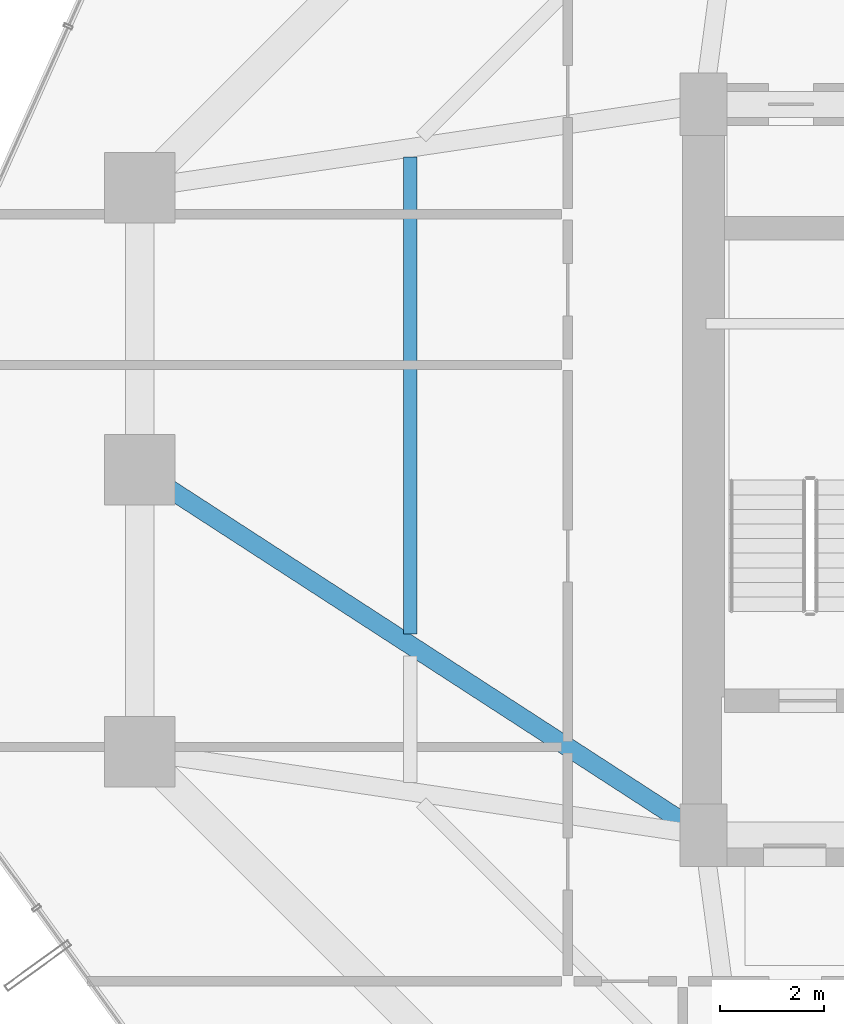
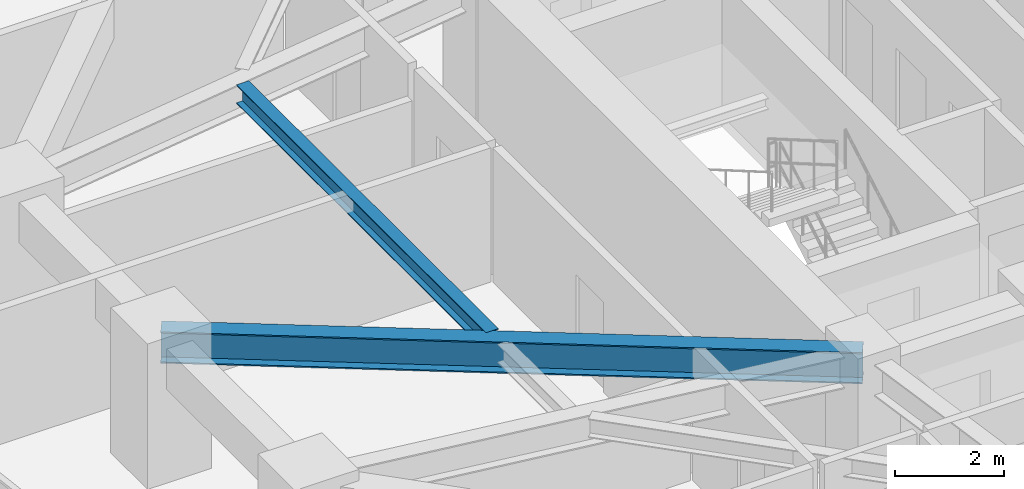
# One storey, part 11 of 37: 2 beams.
"""IFC4 building model written with IfcOpenShell, lengths in metres."""

import ifcopenshell
import ifcopenshell.guid

model = None  # the IFC model being written
_history = None  # IfcOwnerHistory: only IFC2X3 demands one
_inside = {}  # id of a spatial element -> (the spatial element, [elements in it])
_under = {}  # id of a project, library or spatial element -> (it, [spatial elements below it])
_declared = {}  # id of a project -> (the project, [libraries it declares])
_typed = {}  # id of a type object -> (the type object, [elements of that type])
_made_of = {}  # id of a material, layer set ... -> (it, [elements and type objects made of it])


def new_model(schema):
    """Start an empty IFC model of exactly this schema.

    Asked for "IFC4X3", IfcOpenShell would pick the latest addendum, in which some entities
    have other attributes; the version numbers below select the first issue.
    IFC2X3 requires an IfcOwnerHistory on every rooted entity: one is made here for all.
    """
    global model, _history
    if schema == "IFC4X3":
        model = ifcopenshell.file(schema_version=(4, 3, 0, 0))
    else:
        model = ifcopenshell.file(schema=schema)
    _inside.clear()
    _under.clear()
    _declared.clear()
    _typed.clear()
    _made_of.clear()
    _history = None
    if model.schema == "IFC2X3":
        org = make("IfcOrganization", Name="unknown")
        user = make(
            "IfcPersonAndOrganization",
            ThePerson=make("IfcPerson", FamilyName="unknown"),
            TheOrganization=org,
        )
        app = make(
            "IfcApplication",
            ApplicationDeveloper=org,
            Version="unknown",
            ApplicationFullName="unknown",
            ApplicationIdentifier="unknown",
        )
        _history = make(
            "IfcOwnerHistory",
            OwningUser=user,
            OwningApplication=app,
            ChangeAction="ADDED",
            CreationDate=0,
        )
    return model


def make(cls, **values):
    """One entity of the class cls with the attributes given. An attribute that is None is left unset."""
    return model.create_entity(
        cls, **{name: value for name, value in values.items() if value is not None}
    )


def rooted(cls, **values):
    """An entity with a GlobalId (a new one), such as an element, a storey or a relation."""
    return make(cls, GlobalId=ifcopenshell.guid.new(), OwnerHistory=_history, **values)


def si_unit(unit_type, name, prefix=None):
    """IfcSIUnit, for example si_unit("LENGTHUNIT", "METRE", prefix="MILLI")."""
    return make("IfcSIUnit", UnitType=unit_type, Prefix=prefix, Name=name)


def assignment(units):
    """IfcUnitAssignment: the units of a project."""
    return None if units is None else make("IfcUnitAssignment", Units=units)


def point(xyz):
    """IfcCartesianPoint."""
    return None if xyz is None else make("IfcCartesianPoint", Coordinates=xyz)


def direction(xyz):
    """IfcDirection."""
    return None if xyz is None else make("IfcDirection", DirectionRatios=xyz)


def frame(location, z_axis=None, x_axis=None):
    """IfcAxis2Placement3D, a coordinate frame: its origin and axes. An axis left out is left unset."""
    return make(
        "IfcAxis2Placement3D",
        Location=point(location),
        Axis=direction(z_axis),
        RefDirection=direction(x_axis),
    )


def frame_2d(location, x_axis=None):
    """IfcAxis2Placement2D, a coordinate frame in the plane: its origin and x axis."""
    return make(
        "IfcAxis2Placement2D", Location=point(location), RefDirection=direction(x_axis)
    )


def origin():
    """The frame at (0, 0, 0) with its axes left unset."""
    return frame((0.0, 0.0, 0.0))


def origin_2d():
    """The frame at (0, 0) in the plane with its x axis left unset."""
    return frame_2d((0.0, 0.0))


def place(relative_to, where):
    """IfcLocalPlacement: puts the frame where relative to a parent placement (None: the world)."""
    return make(
        "IfcLocalPlacement", PlacementRelTo=relative_to, RelativePlacement=where
    )


def context(
    kind, dimensions, precision=None, world=None, true_north=None, identifier=None
):
    """IfcGeometricRepresentationContext, for example the 3D "Model" context."""
    return make(
        "IfcGeometricRepresentationContext",
        ContextIdentifier=identifier,
        ContextType=kind,
        CoordinateSpaceDimension=dimensions,
        Precision=precision,
        WorldCoordinateSystem=world,
        TrueNorth=true_north,
    )


def subcontext(parent, identifier, kind, view, scale=None):
    """IfcGeometricRepresentationSubContext, for example "Body" below "Model"."""
    return make(
        "IfcGeometricRepresentationSubContext",
        ContextIdentifier=identifier,
        ContextType=kind,
        ParentContext=parent,
        TargetScale=scale,
        TargetView=view,
    )


def project(units=None, contexts=None):
    """IfcProject with its units and contexts."""
    return rooted(
        "IfcProject",
        Name="project",
        RepresentationContexts=contexts,
        UnitsInContext=assignment(units),
    )


def spatial(cls, under=None, at=None, **own):
    """A site, building, storey or space (cls), placed at a placement, below another one or the project."""
    s = rooted(cls, ObjectPlacement=at, **own)
    if under is not None:
        _under.setdefault(under.id(), (under, []))[1].append(s)
    return s


def profile(cls, at=None, kind="AREA", **sizes):
    """A parametric profile (cls). Its sizes go by their IFC names, for example OverallWidth=200.0."""
    return make(cls, ProfileType=kind, Position=at, **sizes)


def i_section(**sizes):
    """IfcIShapeProfileDef."""
    return profile("IfcIShapeProfileDef", **sizes)


def extrude(swept, where, along, depth):
    """IfcExtrudedAreaSolid: the profile swept, set in the frame where, extruded along a direction by depth."""
    return make(
        "IfcExtrudedAreaSolid",
        SweptArea=swept,
        Position=where,
        ExtrudedDirection=direction(along),
        Depth=depth,
    )


def shape(context_of_items, identifier, shape_type, items):
    """IfcShapeRepresentation: the items that make up one representation, for example the "Body"."""
    return make(
        "IfcShapeRepresentation",
        ContextOfItems=context_of_items,
        RepresentationIdentifier=identifier,
        RepresentationType=shape_type,
        Items=items,
    )


def material(Name=None, Category=None):
    """IfcMaterial."""
    return make("IfcMaterial", Name=Name, Category=Category)


def material_profile(
    of_material, cross_section, Name=None, Category=None, Priority=None
):
    """IfcMaterialProfile: a cross section and its material."""
    return make(
        "IfcMaterialProfile",
        Name=Name,
        Material=of_material,
        Profile=cross_section,
        Priority=Priority,
        Category=Category,
    )


def profile_set(profiles, Name=None, composite=None):
    """IfcMaterialProfileSet."""
    return make(
        "IfcMaterialProfileSet",
        Name=Name,
        MaterialProfiles=profiles,
        CompositeProfile=composite,
    )


def made_of(thing, what):
    """Note that an element or type object is made of a material, layer set ...; save() writes the relation."""
    if what is not None:
        _made_of.setdefault(what.id(), (what, []))[1].append(thing)
    return thing


def type_object(cls, material=None, **own):
    """A type object (cls), such as IfcWallType, which elements share."""
    return made_of(rooted(cls, **own), material)


def element(
    cls,
    number,
    at=None,
    inside=None,
    cuts=None,
    type_object=None,
    material=None,
    context=None,
    identifier="Body",
    shape_type=None,
    held_by="IfcProductDefinitionShape",
    body=None,
    shapes=None,
    **own,
):
    """One element of the class cls, such as IfcWall. Its Tag is "e" and its number.

    at: its placement. inside: the storey or other place that contains it. cuts: it is an
    opening in that element (IfcRelVoidsElement). A single representation is given by context,
    identifier, shape_type and body (its items); several are given by shapes. held_by: the class
    of the entity that holds the representations. save() writes the other relations.
    """
    e = rooted(cls, Tag="e%d" % number, ObjectPlacement=at, **own)
    if body is not None:
        shapes = [shape(context, identifier, shape_type, body)]
    if shapes is not None:
        e.Representation = make(held_by, Representations=shapes)
    if inside is not None:
        _inside.setdefault(inside.id(), (inside, []))[1].append(e)
    if cuts is not None:
        rooted(
            "IfcRelVoidsElement", RelatingBuildingElement=cuts, RelatedOpeningElement=e
        )
    if type_object is not None:
        _typed.setdefault(type_object.id(), (type_object, []))[1].append(e)
    return made_of(e, material)


def aggregate(whole, parts):
    """IfcRelAggregates: a whole, such as a stair, and the parts it consists of."""
    return rooted("IfcRelAggregates", RelatingObject=whole, RelatedObjects=parts)


def save(model, path):
    """Write the relations noted so far, then the file.

    IfcRelAggregates (storeys below a building ...), IfcRelContainedInSpatialStructure (elements
    in a storey), IfcRelDefinesByType, IfcRelAssociatesMaterial and IfcRelDeclares: one each for
    every whole, place, type object, material and project.
    """
    for whole, parts in _under.values():
        aggregate(whole, parts)
    for where, things in _inside.values():
        rooted(
            "IfcRelContainedInSpatialStructure",
            RelatedElements=things,
            RelatingStructure=where,
        )
    for kind, things in _typed.values():
        rooted("IfcRelDefinesByType", RelatedObjects=things, RelatingType=kind)
    for what, things in _made_of.values():
        rooted("IfcRelAssociatesMaterial", RelatedObjects=things, RelatingMaterial=what)
    for by, libraries in _declared.values():
        rooted("IfcRelDeclares", RelatingContext=by, RelatedDefinitions=libraries)
    model.write(path)


model = new_model("IFC4")

# Units and contexts
model_context = context("Model", 3, precision=1e-05, world=origin(), true_north=direction((0.0, 1.0)))
body_context = subcontext(model_context, "Body", "Model", "MODEL_VIEW")
ifc_project = project(units=[si_unit("LENGTHUNIT", "METRE"), si_unit("AREAUNIT", "SQUARE_METRE"), si_unit("VOLUMEUNIT", "CUBIC_METRE"), si_unit("PLANEANGLEUNIT", "RADIAN"), si_unit("MASSUNIT", "GRAM", prefix="KILO")], contexts=[model_context])

# Site, building, storey
site_placement = place(None, origin())
site = spatial("IfcSite", under=ifc_project, at=site_placement, CompositionType="ELEMENT")
building_placement = place(site_placement, origin())
building = spatial("IfcBuilding", under=site, at=building_placement, Name="Veraguas Prism Commons", CompositionType="ELEMENT")
storey_placement = place(building_placement, frame((0.0, 0.0, 43.550048828125)))
storey = spatial("IfcBuildingStorey", under=building, at=storey_placement, Name="L11", CompositionType="ELEMENT", Elevation=43.550048828125)

# Beams
ifc_material = material(Name="Steel ASTM A992 Grade 50", Category="steel")
ifc_material_profile_1 = material_profile(ifc_material, i_section(OverallWidth=0.260986328125, OverallDepth=0.419921875, WebThickness=0.01171875, FlangeThickness=0.019287109375, at=origin_2d()), Name="W410X114")
ifc_profile_set_1 = profile_set([ifc_material_profile_1], Name="Steel ASTM A992 Grade 50")
beam_type_1 = type_object("IfcBeamType", Name="Lower Floor Joist W410x114", PredefinedType="JOIST", material=ifc_profile_set_1)
beam_1_placement = place(storey_placement, frame((11.583984375, 29.989990234375, 2.7900390625), z_axis=(0.0, -1.0, 0.0), x_axis=(1.0, 0.0, 0.0)))
element("IfcBeam", 1, at=beam_1_placement, inside=storey, type_object=beam_type_1, Name="Composite Floor Joist L11-JS07", PredefinedType="JOIST", context=body_context, shape_type="SweptSolid", body=[
    extrude(i_section(OverallWidth=0.260986328125, OverallDepth=0.419921875, WebThickness=0.01171875, FlangeThickness=0.019287109375, at=origin_2d()), origin(), (0.0, 0.0, 1.0), 9.140380859375),
])
ifc_material_profile_2 = material_profile(ifc_material, i_section(OverallWidth=0.35595703125, OverallDepth=0.700927734375, WebThickness=0.016845703125, FlangeThickness=0.02734375, at=origin_2d()), Name="W690X240")
ifc_profile_set_2 = profile_set([ifc_material_profile_2], Name="Steel ASTM A992 Grade 50")
beam_type_2 = type_object("IfcBeamType", Name="Zone 1 Radial Girder W690x240", PredefinedType="BEAM", material=ifc_profile_set_2)
beam_2_placement = place(storey_placement, frame((6.39990234375, 24.0, 2.6494140625), z_axis=(0.839154108875, -0.543893722668, 0.0), x_axis=(0.543893722668, 0.839154108875, 0.0)))
element("IfcBeam", 2, at=beam_2_placement, inside=storey, type_object=beam_type_2, Name="Radial Floor Girder L11-RD08", PredefinedType="BEAM", context=body_context, shape_type="SweptSolid", body=[
    extrude(i_section(OverallWidth=0.35595703125, OverallDepth=0.700927734375, WebThickness=0.016845703125, FlangeThickness=0.02734375, at=origin_2d()), origin(), (0.0, 0.0, 1.0), 12.8701171875),
])

save(model, "model.ifc")
